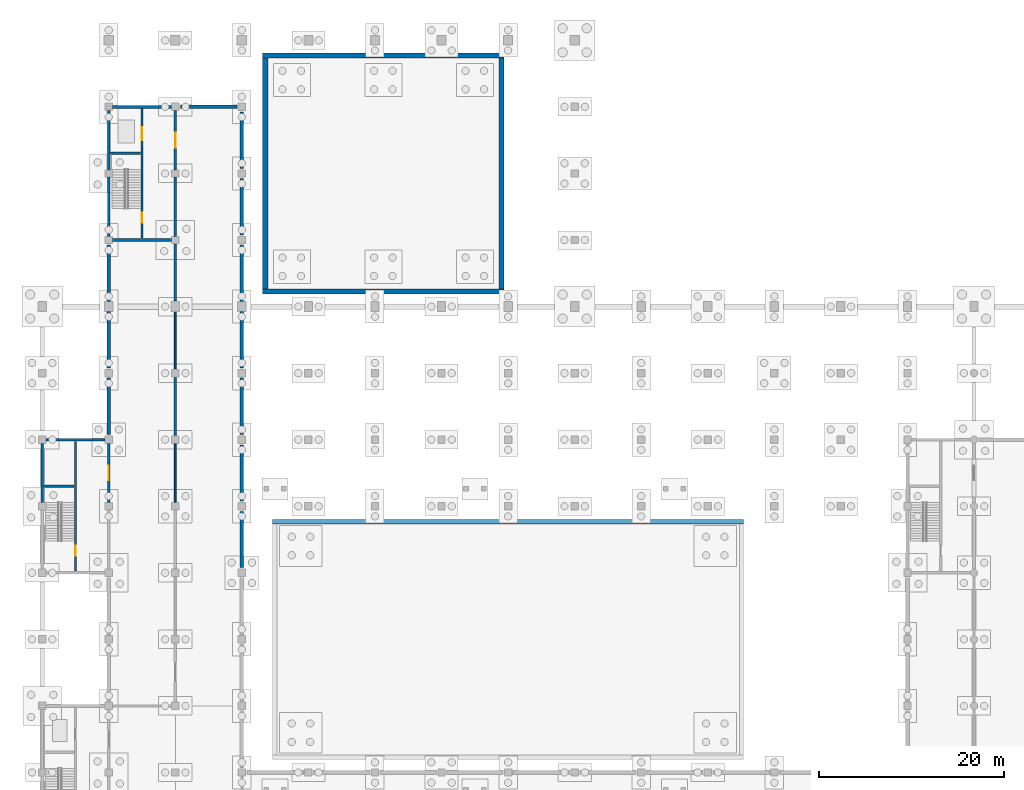
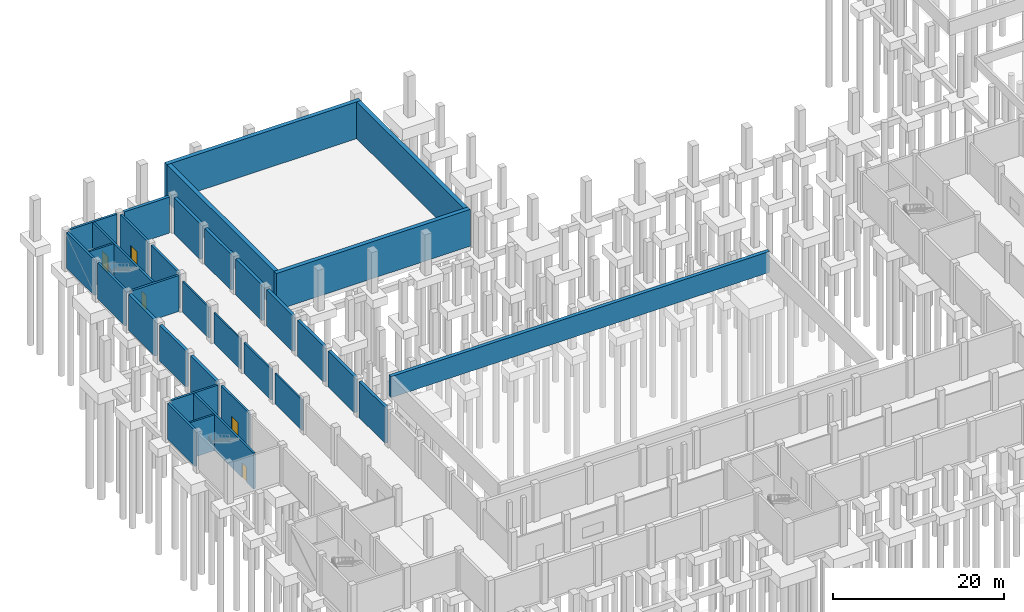
# One storey, part 22 of 35: 33 walls, 5 doors, 5 openings.
"""IFC4 building model written with IfcOpenShell, lengths in metres."""

from ifc_helpers import new_model, si_unit, direction, frame, frame_2d, origin, place, context, subcontext, project, spatial, rectangle, extrude, material, layer, layer_set, type_object, element, fill, save


model = new_model("IFC4")

# Units and contexts
model_context = context("Model", 3, precision=1e-05, world=origin(), true_north=direction((0.0, 1.0)))
body_context = subcontext(model_context, "Body", "Model", "MODEL_VIEW")
ifc_project = project(units=[si_unit("LENGTHUNIT", "METRE"), si_unit("AREAUNIT", "SQUARE_METRE"), si_unit("VOLUMEUNIT", "CUBIC_METRE"), si_unit("PLANEANGLEUNIT", "RADIAN"), si_unit("MASSUNIT", "GRAM", prefix="KILO")], contexts=[model_context])

# Site, building, storey
site_placement = place(None, origin())
site = spatial("IfcSite", under=ifc_project, at=site_placement, CompositionType="ELEMENT")
building_placement = place(site_placement, origin())
building = spatial("IfcBuilding", under=site, at=building_placement, Name="Vesperath Aquatics Centre", CompositionType="ELEMENT")
storey_placement = place(building_placement, frame((0.0, 0.0, -5.39990234375)))
storey = spatial("IfcBuildingStorey", under=building, at=storey_placement, Name="B1", CompositionType="ELEMENT", Elevation=-5.39990234375)

# Walls
ifc_material_1 = material(Name="Autoclaved aerated masonry blockwork", Category="masonry")
ifc_layer_1 = layer(ifc_material_1, 0.22998046875)
ifc_layer_set_1 = layer_set([ifc_layer_1], Name="Autoclaved aerated masonry blockwork")
wall_type_1 = type_object("IfcWallType", Name="WL-FW01", PredefinedType="SOLIDWALL", material=ifc_layer_set_1)
wall_1_placement = place(storey_placement, frame((14.39990234375, 72.449951171875, 0.0), z_axis=(0.0, 0.0, 1.0), x_axis=(0.0, 1.0, 0.0)))
element("IfcWall", 1, at=wall_1_placement, inside=storey, type_object=wall_type_1, Name="Interior Partition FW01 B1_DIVE_PLT-E5", PredefinedType="SOLIDWALL", context=body_context, shape_type="SweptSolid", body=[
    extrude(rectangle(XDim=6.300048828125, YDim=0.22998046875, at=frame_2d((3.14990234375, 0.0))), origin(), (0.0, 0.0, 1.0), 4.369873046875),
])
wall_2_placement = place(storey_placement, frame((14.39990234375, 87.0, 0.0), z_axis=(0.0, 0.0, 1.0), x_axis=(0.0, 1.0, 0.0)))
element("IfcWall", 2, at=wall_2_placement, inside=storey, type_object=wall_type_1, Name="Interior Partition FW01 B1_DIVE_PLT-E7", PredefinedType="SOLIDWALL", context=body_context, shape_type="SweptSolid", body=[
    extrude(rectangle(XDim=6.14990234375, YDim=0.22998046875, at=frame_2d((3.074951171875, 0.0))), origin(), (0.0, 0.0, 1.0), 4.369873046875),
])
ifc_material_2 = material(Name="Plant acoustic masonry wall", Category="masonry")
ifc_layer_2 = layer(ifc_material_2, 0.18994140625)
ifc_layer_set_2 = layer_set([ifc_layer_2], Name="Plant acoustic masonry wall")
wall_type_2 = type_object("IfcWallType", Name="WL-FW04", PredefinedType="SOLIDWALL", material=ifc_layer_set_2)
wall_3_placement = place(storey_placement, frame((14.39990234375, 65.25, 0.0), z_axis=(0.0, 0.0, 1.0), x_axis=(0.0, 1.0, 0.0)))
element("IfcWall", 3, at=wall_3_placement, inside=storey, type_object=wall_type_2, Name="Interior Partition FW04 B1_DIVE_PLT-E4", PredefinedType="SOLIDWALL", context=body_context, shape_type="SweptSolid", body=[
    extrude(rectangle(XDim=6.300048828125, YDim=0.18994140625, at=frame_2d((3.14990234375, 0.0))), origin(), (0.0, 0.0, 1.0), 4.369873046875),
])
wall_4_placement = place(storey_placement, frame((14.39990234375, 79.64990234375, 0.0), z_axis=(0.0, 0.0, 1.0), x_axis=(0.0, 1.0, 0.0)))
element("IfcWall", 4, at=wall_4_placement, inside=storey, type_object=wall_type_2, Name="Interior Partition FW04 B1_DIVE_PLT-E6", PredefinedType="SOLIDWALL", context=body_context, shape_type="SweptSolid", body=[
    extrude(rectangle(XDim=6.150146484375, YDim=0.18994140625, at=frame_2d((3.0751953125, 0.0))), origin(), (0.0, 0.0, 1.0), 4.369873046875),
])
ifc_material_3 = material(Name="Concrete C40", Category="concrete")
ifc_layer_3 = layer(ifc_material_3, 0.47998046875)
ifc_layer_set_3 = layer_set([ifc_layer_3], Name="Concrete C40")
wall_type_3 = type_object("IfcWallType", Name="WL-PW01", PredefinedType="SHEAR", material=ifc_layer_set_3)
wall_5_placement = place(storey_placement, frame((24.909912109375, 63.139892578125, 2.39990234375), z_axis=(0.0, 0.0, 1.0), x_axis=(1.0, 0.0, 0.0)))
element("IfcWall", 5, at=wall_5_placement, inside=storey, type_object=wall_type_3, Name="Competition Swimming Pool Basin Wall PW01-N", PredefinedType="SHEAR", context=body_context, shape_type="SweptSolid", body=[
    extrude(rectangle(XDim=50.97998046875, YDim=0.47998046875, at=frame_2d((25.489990234375, 0.0))), origin(), (0.0, 0.0, 1.0), 3.0),
])
ifc_layer_4 = layer(ifc_material_3, 0.550048828125)
ifc_layer_set_4 = layer_set([ifc_layer_4], Name="Concrete C40")
wall_type_4 = type_object("IfcWallType", Name="WL-PW02", PredefinedType="SHEAR", material=ifc_layer_set_4)
for number, where, z_axis, x_axis, name in (
    (6, (23.85009765625, 88.02490234375, 0.14990234375), (0.0, 0.0, 1.0), (1.0, 0.0, 0.0), "Diving Pool Well Basin Wall PW02-S"),
    (7, (23.85009765625, 113.574951171875, 0.14990234375), (0.0, 0.0, 1.0), (1.0, 0.0, 0.0), "Diving Pool Well Basin Wall PW02-N"),
):
    element("IfcWall", number, at=place(storey_placement, frame(where, z_axis=z_axis, x_axis=x_axis)), inside=storey, type_object=wall_type_4, Name=name, PredefinedType="SHEAR", context=body_context, shape_type="SweptSolid", body=[
        extrude(rectangle(XDim=26.099853515625, YDim=0.550048828125, at=frame_2d((13.0498046875, 0.0))), origin(), (0.0, 0.0, 1.0), 5.25),
    ])
for number, where, z_axis, x_axis, name in (
    (8, (24.125, 88.300048828125, 0.14990234375), (0.0, 0.0, 1.0), (0.0, 1.0, 0.0), "Diving Pool Well Basin Wall PW02-W"),
    (9, (49.675048828125, 88.300048828125, 0.14990234375), (0.0, 0.0, 1.0), (0.0, 1.0, 0.0), "Diving Pool Well Basin Wall PW02-E"),
):
    element("IfcWall", number, at=place(storey_placement, frame(where, z_axis=z_axis, x_axis=x_axis)), inside=storey, type_object=wall_type_4, Name=name, PredefinedType="SHEAR", context=body_context, shape_type="SweptSolid", body=[
        extrude(rectangle(XDim=25.0, YDim=0.550048828125, at=frame_2d((12.5, 0.0))), origin(), (0.0, 0.0, 1.0), 5.25),
    ])
ifc_layer_5 = layer(ifc_material_3, 0.39990234375)
ifc_layer_set_5 = layer_set([ifc_layer_5], Name="Concrete C40")
wall_type_5 = type_object("IfcWallType", Name="WL-RW01", PredefinedType="USERDEFINED", material=ifc_layer_set_5)
wall_6_placement = place(storey_placement, frame((14.949951171875, 108.0, 0.0), z_axis=(0.0, 0.0, 1.0), x_axis=(1.0, 0.0, 0.0)))
element("IfcWall", 10, at=wall_6_placement, inside=storey, type_object=wall_type_5, Name="Basement Retaining Wall RW01-H045", ObjectType="RETAININGWALL", PredefinedType="USERDEFINED", context=body_context, shape_type="SweptSolid", body=[
    extrude(rectangle(XDim=6.10009765625, YDim=0.39990234375, at=frame_2d((3.050048828125, 0.0))), origin(), (0.0, 0.0, 1.0), 5.119873046875),
])
wall_7_placement = place(storey_placement, frame((7.199951171875, 72.550048828125, 0.0), z_axis=(0.0, 0.0, 1.0), x_axis=(0.0, 1.0, 0.0)))
element("IfcWall", 11, at=wall_7_placement, inside=storey, type_object=wall_type_5, Name="Basement Retaining Wall RW01-V048", ObjectType="RETAININGWALL", PredefinedType="USERDEFINED", context=body_context, shape_type="SweptSolid", body=[
    extrude(rectangle(XDim=6.099853515625, YDim=0.39990234375, at=frame_2d((3.0498046875, 0.0))), origin(), (0.0, 0.0, 1.0), 5.119873046875),
])
for number, where, z_axis, x_axis, name in (
    (12, (7.199951171875, 79.75, 0.0), (0.0, 0.0, 1.0), (0.0, 1.0, 0.0), "Basement Retaining Wall RW01-V049"),
    (13, (7.199951171875, 86.949951171875, 0.0), (0.0, 0.0, 1.0), (0.0, 1.0, 0.0), "Basement Retaining Wall RW01-V050"),
    (14, (21.60009765625, 58.14990234375, 0.0), (0.0, 0.0, 1.0), (0.0, 1.0, 0.0), "Basement Retaining Wall RW01-V055"),
):
    element("IfcWall", number, at=place(storey_placement, frame(where, z_axis=z_axis, x_axis=x_axis)), inside=storey, type_object=wall_type_5, Name=name, ObjectType="RETAININGWALL", PredefinedType="USERDEFINED", context=body_context, shape_type="SweptSolid", body=[
        extrude(rectangle(XDim=6.10009765625, YDim=0.39990234375, at=frame_2d((3.050048828125, 0.0))), origin(), (0.0, 0.0, 1.0), 5.119873046875),
    ])
for number, where, z_axis, x_axis, name in (
    (15, (21.60009765625, 65.35009765625, 0.0), (0.0, 0.0, 1.0), (0.0, 1.0, 0.0), "Basement Retaining Wall RW01-V056"),
    (16, (21.60009765625, 72.550048828125, 0.0), (0.0, 0.0, 1.0), (0.0, 1.0, 0.0), "Basement Retaining Wall RW01-V057"),
):
    element("IfcWall", number, at=place(storey_placement, frame(where, z_axis=z_axis, x_axis=x_axis)), inside=storey, type_object=wall_type_5, Name=name, ObjectType="RETAININGWALL", PredefinedType="USERDEFINED", context=body_context, shape_type="SweptSolid", body=[
        extrude(rectangle(XDim=6.099853515625, YDim=0.39990234375, at=frame_2d((3.0498046875, 0.0))), origin(), (0.0, 0.0, 1.0), 5.119873046875),
    ])
for number, where, z_axis, x_axis, name in (
    (17, (21.60009765625, 79.75, 0.0), (0.0, 0.0, 1.0), (0.0, 1.0, 0.0), "Basement Retaining Wall RW01-V058"),
    (18, (21.60009765625, 86.949951171875, 0.0), (0.0, 0.0, 1.0), (0.0, 1.0, 0.0), "Basement Retaining Wall RW01-V059"),
    (19, (21.60009765625, 94.14990234375, 0.0), (0.0, 0.0, 1.0), (0.0, 1.0, 0.0), "Basement Retaining Wall RW01-V060"),
):
    element("IfcWall", number, at=place(storey_placement, frame(where, z_axis=z_axis, x_axis=x_axis)), inside=storey, type_object=wall_type_5, Name=name, ObjectType="RETAININGWALL", PredefinedType="USERDEFINED", context=body_context, shape_type="SweptSolid", body=[
        extrude(rectangle(XDim=6.10009765625, YDim=0.39990234375, at=frame_2d((3.050048828125, 0.0))), origin(), (0.0, 0.0, 1.0), 5.119873046875),
    ])
wall_8_placement = place(storey_placement, frame((21.60009765625, 101.35009765625, 0.0), z_axis=(0.0, 0.0, 1.0), x_axis=(0.0, 1.0, 0.0)))
element("IfcWall", 20, at=wall_8_placement, inside=storey, type_object=wall_type_5, Name="Basement Retaining Wall RW01-V061", ObjectType="RETAININGWALL", PredefinedType="USERDEFINED", context=body_context, shape_type="SweptSolid", body=[
    extrude(rectangle(XDim=6.099853515625, YDim=0.39990234375, at=frame_2d((3.0498046875, 0.0))), origin(), (0.0, 0.0, 1.0), 5.119873046875),
])
ifc_layer_6 = layer(ifc_material_3, 0.300048828125)
ifc_layer_set_6 = layer_set([ifc_layer_6], Name="Concrete C40")
wall_type_6 = type_object("IfcWallType", Name="WL-SW01", PredefinedType="SHEAR", material=ifc_layer_set_6)
for number, where, z_axis, x_axis, name in (
    (21, (7.60009765625, 93.60009765625, 0.0), (0.0, 0.0, 1.0), (1.0, 0.0, 0.0), "Core C3 South Shear Wall SW01 B1"),
    (22, (7.60009765625, 108.0, 0.0), (0.0, 0.0, 1.0), (1.0, 0.0, 0.0), "Core C3 North Shear Wall SW01 B1"),
    (23, (7.199951171875, 94.0, 0.0), (0.0, 0.0, 1.0), (0.0, 1.0, 0.0), "Core C3 West-1 Shear Wall SW01 B1"),
):
    element("IfcWall", number, at=place(storey_placement, frame(where, z_axis=z_axis, x_axis=x_axis)), inside=storey, type_object=wall_type_6, Name=name, PredefinedType="SHEAR", context=body_context, shape_type="SweptSolid", body=[
        extrude(rectangle(XDim=6.39990234375, YDim=0.300048828125, at=frame_2d((3.199951171875, 0.0))), origin(), (0.0, 0.0, 1.0), 5.119873046875),
    ])
wall_9_placement = place(storey_placement, frame((7.199951171875, 101.199951171875, 0.0), z_axis=(0.0, 0.0, 1.0), x_axis=(0.0, 1.0, 0.0)))
element("IfcWall", 24, at=wall_9_placement, inside=storey, type_object=wall_type_6, Name="Core C3 West-2 Shear Wall SW01 B1", PredefinedType="SHEAR", context=body_context, shape_type="SweptSolid", body=[
    extrude(rectangle(XDim=6.400146484375, YDim=0.300048828125, at=frame_2d((3.2001953125, 0.0))), origin(), (0.0, 0.0, 1.0), 5.119873046875),
])
wall_10_placement = place(storey_placement, frame((14.39990234375, 94.0, 0.0), z_axis=(0.0, 0.0, 1.0), x_axis=(0.0, 1.0, 0.0)))
element("IfcWall", 25, at=wall_10_placement, inside=storey, type_object=wall_type_6, Name="Core C3 East-1 Shear Wall SW01 B1", PredefinedType="SHEAR", context=body_context, shape_type="SweptSolid", body=[
    extrude(rectangle(XDim=6.39990234375, YDim=0.300048828125, at=frame_2d((3.199951171875, 0.0))), origin(), (0.0, 0.0, 1.0), 5.119873046875),
])

# Wall, opening, door
wall_11_placement = place(storey_placement, frame((14.39990234375, 101.199951171875, 0.0), z_axis=(0.0, 0.0, 1.0), x_axis=(0.0, 1.0, 0.0)))
wall_11 = element("IfcWall", 26, at=wall_11_placement, inside=storey, type_object=wall_type_6, Name="Core C3 East-2 Shear Wall SW01 B1", PredefinedType="SHEAR", context=body_context, shape_type="SweptSolid", body=[
    extrude(rectangle(XDim=6.400146484375, YDim=0.300048828125, at=frame_2d((3.2001953125, 0.0))), origin(), (0.0, 0.0, 1.0), 5.119873046875),
])
opening_1_placement = place(wall_11_placement, frame((2.39990234375, 0.0, 0.0)))
opening_1 = element("IfcOpeningElement", 27, at=opening_1_placement, cuts=wall_11, Name="Opening D02", PredefinedType="OPENING", context=body_context, shape_type="SweptSolid", body=[
    extrude(rectangle(XDim=1.60009765625, YDim=2.199951171875, at=frame_2d((0.800048828125, 1.10009765625))), frame((0.0, 0.1650390625, 0.0), z_axis=(0.0, -1.0, 0.0), x_axis=(1.0, 0.0, 0.0)), (0.0, 0.0, 1.0), 0.329833984375),
])
ifc_material_4 = material(Name="Glazed fire-rated lobby double door", Category="steel")
door_type_1 = type_object("IfcDoorType", Name="DR-FD02", OperationType="DOUBLE_SWING_LEFT", PredefinedType="DOOR", material=ifc_material_4)
door_1_placement = place(opening_1_placement, frame((1.60009765625, 0.0, 0.0), z_axis=(0.0, 0.0, 1.0), x_axis=(-1.0, 0.0, 0.0)))
door_1 = element("IfcDoor", 28, at=door_1_placement, inside=storey, type_object=door_type_1, Name="Core C3 Lobby Fire Door D02 B1", OperationType="DOUBLE_SWING_LEFT", OverallHeight=2.199951171875, OverallWidth=1.60009765625, PredefinedType="DOOR", context=body_context, shape_type="SweptSolid", body=[
    extrude(rectangle(XDim=1.60009765625, YDim=2.199951171875, at=frame_2d((0.800048828125, 1.10009765625))), frame((0.0, 0.02490234375, 0.0), z_axis=(0.0, -1.0, 0.0), x_axis=(1.0, 0.0, 0.0)), (0.0, 0.0, 1.0), 0.050048828125),
])
fill(opening_1, door_1)

# Walls
ifc_layer_7 = layer(ifc_material_3, 0.280029296875)
ifc_layer_set_7 = layer_set([ifc_layer_7], Name="Concrete C40")
wall_type_7 = type_object("IfcWallType", Name="WL-SW02", PredefinedType="SHEAR", material=ifc_layer_set_7)
for number, where, z_axis, x_axis, name in (
    (29, (0.39990234375, 72.0, 0.0), (0.0, 0.0, 1.0), (1.0, 0.0, 0.0), "Core C2 North Shear Wall SW02 B1"),
    (30, (0.0, 65.199951171875, 0.0), (0.0, 0.0, 1.0), (0.0, 1.0, 0.0), "Core C2 West-2 Shear Wall SW02 B1"),
):
    element("IfcWall", number, at=place(storey_placement, frame(where, z_axis=z_axis, x_axis=x_axis)), inside=storey, type_object=wall_type_7, Name=name, PredefinedType="SHEAR", context=body_context, shape_type="SweptSolid", body=[
        extrude(rectangle(XDim=6.400146484375, YDim=0.280029296875, at=frame_2d((3.2001953125, 0.0))), origin(), (0.0, 0.0, 1.0), 5.119873046875),
    ])

# Wall, opening, door
wall_12_placement = place(storey_placement, frame((7.199951171875, 65.199951171875, 0.0), z_axis=(0.0, 0.0, 1.0), x_axis=(0.0, 1.0, 0.0)))
wall_12 = element("IfcWall", 31, at=wall_12_placement, inside=storey, type_object=wall_type_7, Name="Core C2 East-2 Shear Wall SW02 B1", PredefinedType="SHEAR", context=body_context, shape_type="SweptSolid", body=[
    extrude(rectangle(XDim=6.400146484375, YDim=0.280029296875, at=frame_2d((3.2001953125, 0.0))), origin(), (0.0, 0.0, 1.0), 5.119873046875),
])
opening_2_placement = place(wall_12_placement, frame((2.39990234375, 0.0, 0.0)))
opening_2 = element("IfcOpeningElement", 32, at=opening_2_placement, cuts=wall_12, Name="Opening D02", PredefinedType="OPENING", context=body_context, shape_type="SweptSolid", body=[
    extrude(rectangle(XDim=1.60009765625, YDim=2.199951171875, at=frame_2d((0.800048828125, 1.10009765625))), frame((0.0, 0.15478515625, 0.0), z_axis=(0.0, -1.0, 0.0), x_axis=(1.0, 0.0, 0.0)), (0.0, 0.0, 1.0), 0.309814453125),
])
door_2_placement = place(opening_2_placement, frame((1.60009765625, 0.0, 0.0), z_axis=(0.0, 0.0, 1.0), x_axis=(-1.0, 0.0, 0.0)))
door_2 = element("IfcDoor", 33, at=door_2_placement, inside=storey, type_object=door_type_1, Name="Core C2 Lobby Fire Door D02 B1", OperationType="DOUBLE_SWING_LEFT", OverallHeight=2.199951171875, OverallWidth=1.60009765625, PredefinedType="DOOR", context=body_context, shape_type="SweptSolid", body=[
    extrude(rectangle(XDim=1.60009765625, YDim=2.199951171875, at=frame_2d((0.800048828125, 1.10009765625))), frame((0.0, 0.02490234375, 0.0), z_axis=(0.0, -1.0, 0.0), x_axis=(1.0, 0.0, 0.0)), (0.0, 0.0, 1.0), 0.050048828125),
])
fill(opening_2, door_2)

ifc_layer_8 = layer(ifc_material_3, 0.260009765625)
ifc_layer_set_8 = layer_set([ifc_layer_8], Name="Concrete C40")
wall_type_8 = type_object("IfcWallType", Name="WL-SW03", PredefinedType="SHEAR", material=ifc_layer_set_8)
wall_13_placement = place(storey_placement, frame((3.60009765625, 57.800048828125, 0.0), z_axis=(0.0, 0.0, 1.0), x_axis=(0.0, 1.0, 0.0)))
wall_13 = element("IfcWall", 34, at=wall_13_placement, inside=storey, type_object=wall_type_8, Name="Core C2 Spine Shear Wall SW03 B1", PredefinedType="SHEAR", context=body_context, shape_type="SweptSolid", body=[
    extrude(rectangle(XDim=14.0, YDim=0.260009765625, at=frame_2d((7.0, 0.0))), origin(), (0.0, 0.0, 1.0), 5.119873046875),
])
opening_3_placement = place(wall_13_placement, frame((1.64990234375, 0.0, 0.0)))
opening_3 = element("IfcOpeningElement", 35, at=opening_3_placement, cuts=wall_13, Name="Opening D01", PredefinedType="OPENING", context=body_context, shape_type="SweptSolid", body=[
    extrude(rectangle(XDim=1.10009765625, YDim=2.14990234375, at=frame_2d((0.550048828125, 1.074951171875))), frame((0.0, 0.14501953125, 0.0), z_axis=(0.0, -1.0, 0.0), x_axis=(1.0, 0.0, 0.0)), (0.0, 0.0, 1.0), 0.289794921875),
])
ifc_material_5 = material(Name="Steel-faced acoustic fire door", Category="steel")
door_type_2 = type_object("IfcDoorType", Name="DR-FD01", OperationType="NOTDEFINED", PredefinedType="DOOR", material=ifc_material_5)
door_3_placement = place(opening_3_placement, origin())
door_3 = element("IfcDoor", 36, at=door_3_placement, inside=storey, type_object=door_type_2, Name="Stair ST2 Fire Door D01 B1", OperationType="SINGLE_SWING_LEFT", OverallHeight=2.14990234375, OverallWidth=1.10009765625, PredefinedType="DOOR", context=body_context, shape_type="SweptSolid", body=[
    extrude(rectangle(XDim=1.10009765625, YDim=2.14990234375, at=frame_2d((0.550048828125, 1.074951171875))), frame((0.0, 0.02490234375, 0.0), z_axis=(0.0, -1.0, 0.0), x_axis=(1.0, 0.0, 0.0)), (0.0, 0.0, 1.0), 0.050048828125),
])
fill(opening_3, door_3)

# Wall, openings, doors
wall_14_placement = place(storey_placement, frame((10.800048828125, 93.800048828125, 0.0), z_axis=(0.0, 0.0, 1.0), x_axis=(0.0, 1.0, 0.0)))
wall_14 = element("IfcWall", 37, at=wall_14_placement, inside=storey, type_object=wall_type_8, Name="Core C3 Spine Shear Wall SW03 B1", PredefinedType="SHEAR", context=body_context, shape_type="SweptSolid", body=[
    extrude(rectangle(XDim=14.0, YDim=0.260009765625, at=frame_2d((7.0, 0.0))), origin(), (0.0, 0.0, 1.0), 5.119873046875),
])
opening_4_placement = place(wall_14_placement, frame((1.64990234375, 0.0, 0.0)))
opening_4 = element("IfcOpeningElement", 38, at=opening_4_placement, cuts=wall_14, Name="Opening D01", PredefinedType="OPENING", context=body_context, shape_type="SweptSolid", body=[
    extrude(rectangle(XDim=1.10009765625, YDim=2.14990234375, at=frame_2d((0.550048828125, 1.074951171875))), frame((0.0, 0.14501953125, 0.0), z_axis=(0.0, -1.0, 0.0), x_axis=(1.0, 0.0, 0.0)), (0.0, 0.0, 1.0), 0.289794921875),
])
opening_5_placement = place(wall_14_placement, frame((10.60009765625, 0.0, 0.0)))
opening_5 = element("IfcOpeningElement", 39, at=opening_5_placement, cuts=wall_14, Name="Opening LD04", PredefinedType="OPENING", context=body_context, shape_type="SweptSolid", body=[
    extrude(rectangle(XDim=1.39990234375, YDim=2.300048828125, at=frame_2d((0.699951171875, 1.14990234375))), frame((0.0, 0.14501953125, 0.0), z_axis=(0.0, -1.0, 0.0), x_axis=(1.0, 0.0, 0.0)), (0.0, 0.0, 1.0), 0.289794921875),
])
door_4_placement = place(opening_4_placement, origin())
door_4 = element("IfcDoor", 40, at=door_4_placement, inside=storey, type_object=door_type_2, Name="Stair ST3 Fire Door D01 B1", OperationType="SINGLE_SWING_RIGHT", OverallHeight=2.14990234375, OverallWidth=1.10009765625, PredefinedType="DOOR", context=body_context, shape_type="SweptSolid", body=[
    extrude(rectangle(XDim=1.10009765625, YDim=2.14990234375, at=frame_2d((0.550048828125, 1.074951171875))), frame((0.0, 0.02490234375, 0.0), z_axis=(0.0, -1.0, 0.0), x_axis=(1.0, 0.0, 0.0)), (0.0, 0.0, 1.0), 0.050048828125),
])
fill(opening_4, door_4)
ifc_material_6 = material(Name="Goods stainless lift landing door", Category="steel")
door_type_3 = type_object("IfcDoorType", Name="DR-LD04", OperationType="SLIDING_TO_RIGHT", PredefinedType="DOOR", material=ifc_material_6)
door_5_placement = place(opening_5_placement, frame((1.39990234375, 0.0, 0.0), z_axis=(0.0, 0.0, 1.0), x_axis=(-1.0, 0.0, 0.0)))
door_5 = element("IfcDoor", 41, at=door_5_placement, inside=storey, type_object=door_type_3, Name="Lift LFT-G1 Sliding Landing Door LD04 B1", OperationType="SLIDING_TO_RIGHT", OverallHeight=2.300048828125, OverallWidth=1.39990234375, PredefinedType="DOOR", context=body_context, shape_type="SweptSolid", body=[
    extrude(rectangle(XDim=1.39990234375, YDim=2.300048828125, at=frame_2d((0.699951171875, 1.14990234375))), frame((0.0, 0.02490234375, 0.0), z_axis=(0.0, -1.0, 0.0), x_axis=(1.0, 0.0, 0.0)), (0.0, 0.0, 1.0), 0.050048828125),
])
fill(opening_5, door_5)

# Walls
ifc_layer_9 = layer(ifc_material_3, 0.25)
ifc_layer_set_9 = layer_set([ifc_layer_9], Name="Concrete C40")
wall_type_9 = type_object("IfcWallType", Name="WL-SW04", PredefinedType="SHEAR", material=ifc_layer_set_9)
wall_15_placement = place(storey_placement, frame((0.159912109375, 66.97998046875, 0.0), z_axis=(0.0, 0.0, 1.0), x_axis=(1.0, 0.0, 0.0)))
element("IfcWall", 42, at=wall_15_placement, inside=storey, type_object=wall_type_9, Name="Core C2 Lift Shaft Wall SW04 B1", PredefinedType="SHEAR", context=body_context, shape_type="SweptSolid", body=[
    extrude(rectangle(XDim=3.300048828125, YDim=0.25, at=frame_2d((1.64990234375, 0.0))), origin(), (0.0, 0.0, 1.0), 5.119873046875),
])
wall_16_placement = place(storey_placement, frame((7.360107421875, 102.97998046875, 0.0), z_axis=(0.0, 0.0, 1.0), x_axis=(1.0, 0.0, 0.0)))
element("IfcWall", 43, at=wall_16_placement, inside=storey, type_object=wall_type_9, Name="Core C3 Lift Shaft Wall SW04 B1", PredefinedType="SHEAR", context=body_context, shape_type="SweptSolid", body=[
    extrude(rectangle(XDim=3.2998046875, YDim=0.25, at=frame_2d((1.64990234375, 0.0))), origin(), (0.0, 0.0, 1.0), 5.119873046875),
])

save(model, "model.ifc")
